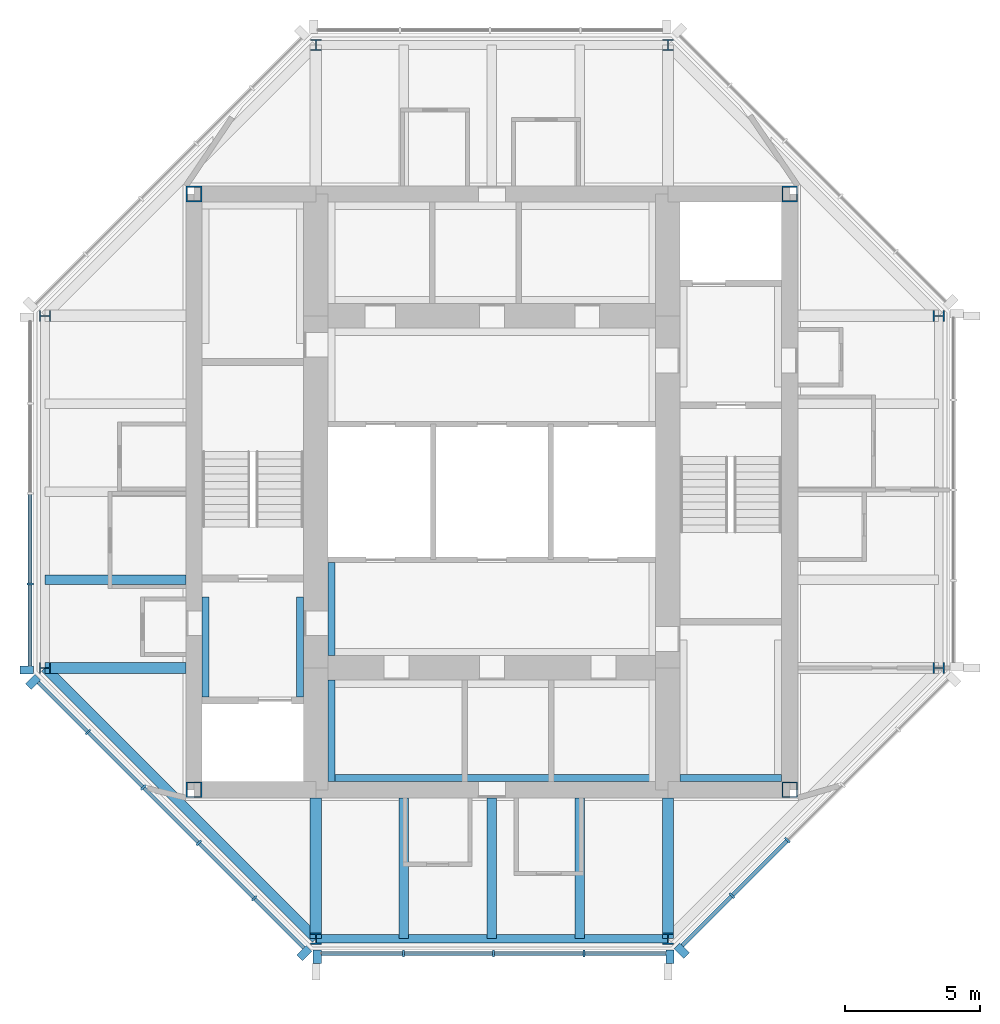
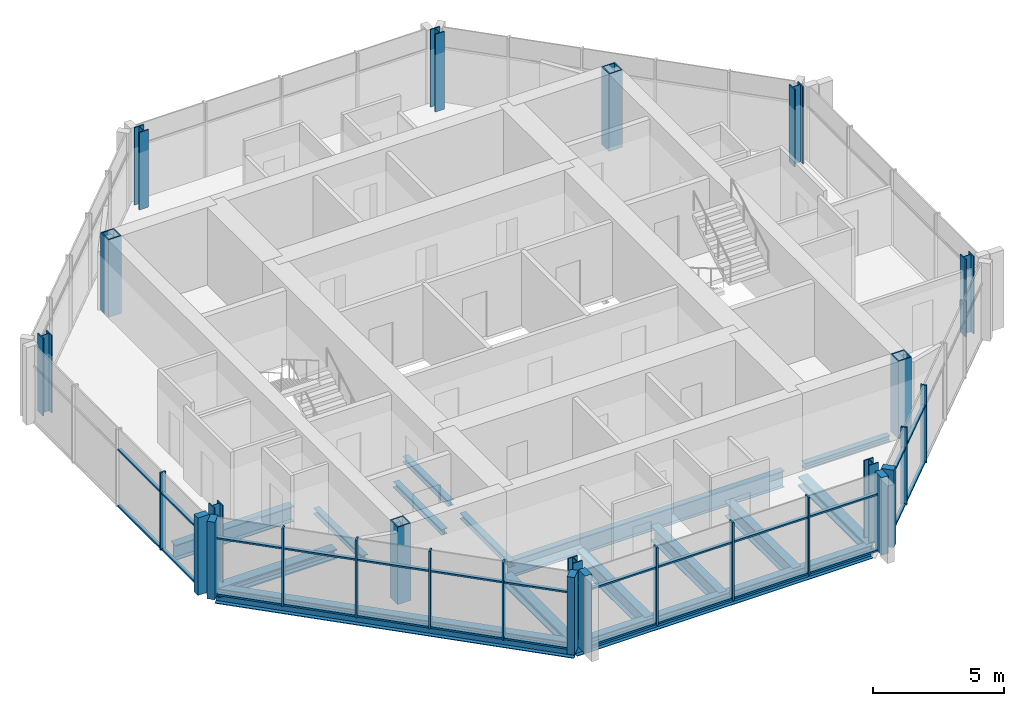
# One storey, part 1 of 8: 42 members, 15 beams, 12 columns, 4 elements without a shape of their own.
"""IFC4 building model written with IfcOpenShell, lengths in metres."""

from ifc_helpers import new_model, si_unit, direction, frame, origin, origin_2d, place, context, subcontext, project, spatial, rectangle, hollow_rectangle, i_section, extrude, material, material_profile, profile_set, type_object, element, aggregate, save


model = new_model("IFC4")

# Units and contexts
model_context = context("Model", 3, precision=1e-05, world=origin(), true_north=direction((0.0, 1.0)))
body_context = subcontext(model_context, "Body", "Model", "MODEL_VIEW")
ifc_project = project(units=[si_unit("LENGTHUNIT", "METRE"), si_unit("AREAUNIT", "SQUARE_METRE"), si_unit("VOLUMEUNIT", "CUBIC_METRE"), si_unit("PLANEANGLEUNIT", "RADIAN"), si_unit("MASSUNIT", "GRAM", prefix="KILO")], contexts=[model_context])

# Site, building, storey
site_placement = place(None, origin())
site = spatial("IfcSite", under=ifc_project, at=site_placement, CompositionType="ELEMENT")
building_placement = place(site_placement, origin())
building = spatial("IfcBuilding", under=site, at=building_placement, Name="Trevanion Tower", CompositionType="ELEMENT")
storey_placement = place(building_placement, frame((0.0, 0.0, 266.800048828125)))
storey = spatial("IfcBuildingStorey", under=building, at=storey_placement, Name="L65", CompositionType="ELEMENT", Elevation=266.800048828125)

# Columns
ifc_material_1 = material(Name="Steel ASTM A913 Grade 65", Category="steel")
ifc_material_profile_1 = material_profile(ifc_material_1, i_section(OverallWidth=0.406494140625, OverallDepth=0.41650390625, WebThickness=0.030029296875, FlangeThickness=0.048095703125, at=origin_2d()), Name="W14X257")
ifc_profile_set_1 = profile_set([ifc_material_profile_1], Name="Steel ASTM A913 Grade 65")
column_type_1 = type_object("IfcColumnType", Name="C6 W14X257", PredefinedType="COLUMN", material=ifc_profile_set_1)
for number, where, z_axis, x_axis, name in (
    (1, (-16.5, -6.5, 0.0), (0.0, 0.0, 1.0), (0.0, 1.0, 0.0), "C6 7/G L65"),
    (2, (-6.5, -16.5, 0.0), (0.0, 0.0, 1.0), (1.0, 0.0, 0.0), "C6 9/E L65"),
    (3, (6.5, -16.5, 0.0), (0.0, 0.0, 1.0), (1.0, 0.0, 0.0), "C6 11/E L65"),
    (4, (16.5, -6.5, 0.0), (0.0, 0.0, 1.0), (0.0, 1.0, 0.0), "C6 13/G L65"),
    (5, (16.5, 6.5, 0.0), (0.0, 0.0, 1.0), (0.0, 1.0, 0.0), "C6 13/J L65"),
    (6, (6.5, 16.5, 0.0), (0.0, 0.0, 1.0), (1.0, 0.0, 0.0), "C6 11/L L65"),
    (7, (-6.5, 16.5, 0.0), (0.0, 0.0, 1.0), (1.0, 0.0, 0.0), "C6 9/L L65"),
    (8, (-16.5, 6.5, 0.0), (0.0, 0.0, 1.0), (0.0, 1.0, 0.0), "C6 7/J L65"),
):
    element("IfcColumn", number, at=place(storey_placement, frame(where, z_axis=z_axis, x_axis=x_axis)), inside=storey, type_object=column_type_1, Name=name, PredefinedType="COLUMN", context=body_context, shape_type="SweptSolid", body=[
        extrude(i_section(OverallWidth=0.406494140625, OverallDepth=0.41650390625, WebThickness=0.030029296875, FlangeThickness=0.048095703125, at=origin_2d()), origin(), (0.0, 0.0, 1.0), 3.599853515625),
    ])
ifc_material_2 = material(Name="Steel ASTM A572 Grade 50", Category="steel")
ifc_material_profile_2 = material_profile(ifc_material_2, hollow_rectangle(XDim=0.584228515625, YDim=0.584228515625, WallThickness=0.05078125, at=origin_2d()), Name="BOX23X23X2")
ifc_profile_set_2 = profile_set([ifc_material_profile_2], Name="Steel ASTM A572 Grade 50")
column_type_2 = type_object("IfcColumnType", Name="CB1 BOX23X23X2", PredefinedType="COLUMN", material=ifc_profile_set_2)
for number, where, z_axis, x_axis, name in (
    (9, (11.0, 11.0, 0.0), (0.0, 0.0, 1.0), (1.0, 0.0, 0.0), "CB1 NE L65"),
    (10, (-11.0, 11.0, 0.0), (0.0, 0.0, 1.0), (1.0, 0.0, 0.0), "CB1 NW L65"),
    (11, (-11.0, -11.0, 0.0), (0.0, 0.0, 1.0), (1.0, 0.0, 0.0), "CB1 SW L65"),
    (12, (11.0, -11.0, 0.0), (0.0, 0.0, 1.0), (1.0, 0.0, 0.0), "CB1 SE L65"),
):
    element("IfcColumn", number, at=place(storey_placement, frame(where, z_axis=z_axis, x_axis=x_axis)), inside=storey, type_object=column_type_2, Name=name, PredefinedType="COLUMN", context=body_context, shape_type="SweptSolid", body=[
        extrude(hollow_rectangle(XDim=0.584228515625, YDim=0.584228515625, WallThickness=0.05078125, at=origin_2d()), origin(), (0.0, 0.0, 1.0), 3.599853515625),
    ])

# Beams
ifc_material_3 = material(Name="Steel ASTM A992 Grade 50", Category="steel")
ifc_material_profile_3 = material_profile(ifc_material_3, i_section(OverallWidth=0.355712890625, OverallDepth=0.700927734375, WebThickness=0.016845703125, FlangeThickness=0.02734375, at=origin_2d()), Name="W27X161")
ifc_profile_set_3 = profile_set([ifc_material_profile_3], Name="Steel ASTM A992 Grade 50")
beam_type_1 = type_object("IfcBeamType", Name="B15 W27X161", PredefinedType="BEAM", material=ifc_profile_set_3)
for number, where, z_axis, x_axis, name in (
    (13, (-11.300048828125, -3.25, -0.54052734375), (-1.0, 0.0, 0.0), (0.0, -1.0, 0.0), "B15 L65"),
    (14, (-3.25, -11.300048828125, -0.54052734375), (0.0, -1.0, 0.0), (1.0, 0.0, 0.0), "B15 L65"),
    (15, (0.0, -11.300048828125, -0.54052734375), (0.0, -1.0, 0.0), (1.0, 0.0, 0.0), "B15 L65"),
    (16, (3.25, -11.300048828125, -0.54052734375), (0.0, -1.0, 0.0), (1.0, 0.0, 0.0), "B15 L65"),
):
    element("IfcBeam", number, at=place(storey_placement, frame(where, z_axis=z_axis, x_axis=x_axis)), inside=storey, type_object=beam_type_1, Name=name, PredefinedType="BEAM", context=body_context, shape_type="SweptSolid", body=[
        extrude(i_section(OverallWidth=0.355712890625, OverallDepth=0.700927734375, WebThickness=0.016845703125, FlangeThickness=0.02734375, at=origin_2d()), origin(), (0.0, 0.0, 1.0), 5.199951171875),
    ])

# Curtain wall, member
ifc_material_4 = material(Name="Aluminium and glass", Category="aluminium")
curtain_wall_type = type_object("IfcCurtainWallType", Name="CW4 curtain wall", PredefinedType="USERDEFINED", material=ifc_material_4)
curtain_wall_1_placement = place(storey_placement, origin())
curtain_wall_1 = element("IfcCurtainWall", 17, at=curtain_wall_1_placement, inside=storey, type_object=curtain_wall_type, Name="CW4 L65 4", ObjectType="UNITISED CURTAIN WALL", PredefinedType="USERDEFINED")
ifc_material_5 = material(Name="Aluminium extrusion, anodised bronze", Category="aluminium")
ifc_material_profile_4 = material_profile(ifc_material_5, rectangle(XDim=0.074951171875, YDim=0.25, at=origin_2d()), Name="CW4 mullion")
ifc_profile_set_4 = profile_set([ifc_material_profile_4], Name="Aluminium extrusion, anodised bronze")
member_type_1 = type_object("IfcMemberType", Name="CW4 mullion", PredefinedType="MULLION", material=ifc_profile_set_4)
member_1_placement = place(storey_placement, frame((-17.050048828125, -3.396484375, -0.18994140625), z_axis=(0.0, 0.0, 1.0), x_axis=(0.0, -1.0, 0.0)))
member_1 = element("IfcMember", 18, at=member_1_placement, type_object=member_type_1, Name="CW4 mullion 4", PredefinedType="MULLION", context=body_context, shape_type="SweptSolid", body=[
    extrude(rectangle(XDim=0.074951171875, YDim=0.25, at=origin_2d()), origin(), (0.0, 0.0, 1.0), 3.599853515625),
])

# Curtain wall, members
curtain_wall_2_placement = place(storey_placement, origin())
curtain_wall_2 = element("IfcCurtainWall", 19, at=curtain_wall_2_placement, inside=storey, type_object=curtain_wall_type, Name="CW4 L65 5", ObjectType="UNITISED CURTAIN WALL", PredefinedType="USERDEFINED")
member_2_placement = place(storey_placement, frame((-14.912109375, -8.86572265625, -0.18994140625), z_axis=(0.0, 0.0, 1.0), x_axis=(0.707106781187, -0.707106781187, 0.0)))
member_2 = element("IfcMember", 20, at=member_2_placement, type_object=member_type_1, Name="CW4 mullion 2", PredefinedType="MULLION", context=body_context, shape_type="SweptSolid", body=[
    extrude(rectangle(XDim=0.074951171875, YDim=0.25, at=origin_2d()), origin(), (0.0, 0.0, 1.0), 3.599853515625),
])
member_3_placement = place(storey_placement, frame((-12.865966796875, -10.911865234375, -0.18994140625), z_axis=(0.0, 0.0, 1.0), x_axis=(0.707106781187, -0.707106781187, 0.0)))
member_3 = element("IfcMember", 21, at=member_3_placement, type_object=member_type_1, Name="CW4 mullion 3", PredefinedType="MULLION", context=body_context, shape_type="SweptSolid", body=[
    extrude(rectangle(XDim=0.074951171875, YDim=0.25, at=origin_2d()), origin(), (0.0, 0.0, 1.0), 3.599853515625),
])
member_4_placement = place(storey_placement, frame((-10.81982421875, -12.9580078125, -0.18994140625), z_axis=(0.0, 0.0, 1.0), x_axis=(0.707106781187, -0.707106781187, 0.0)))
member_4 = element("IfcMember", 22, at=member_4_placement, type_object=member_type_1, Name="CW4 mullion 4", PredefinedType="MULLION", context=body_context, shape_type="SweptSolid", body=[
    extrude(rectangle(XDim=0.074951171875, YDim=0.25, at=origin_2d()), origin(), (0.0, 0.0, 1.0), 3.599853515625),
])
member_5_placement = place(storey_placement, frame((-8.77392578125, -15.00390625, -0.18994140625), z_axis=(0.0, 0.0, 1.0), x_axis=(0.707106781187, -0.707106781187, 0.0)))
member_5 = element("IfcMember", 23, at=member_5_placement, type_object=member_type_1, Name="CW4 mullion 5", PredefinedType="MULLION", context=body_context, shape_type="SweptSolid", body=[
    extrude(rectangle(XDim=0.074951171875, YDim=0.25, at=origin_2d()), origin(), (0.0, 0.0, 1.0), 3.599853515625),
])

curtain_wall_3_placement = place(storey_placement, origin())
curtain_wall_3 = element("IfcCurtainWall", 24, at=curtain_wall_3_placement, inside=storey, type_object=curtain_wall_type, Name="CW4 L65 6", ObjectType="UNITISED CURTAIN WALL", PredefinedType="USERDEFINED")
member_6_placement = place(storey_placement, frame((-3.266357421875, -17.050048828125, -0.18994140625), z_axis=(0.0, 0.0, 1.0), x_axis=(1.0, 0.0, 0.0)))
member_6 = element("IfcMember", 25, at=member_6_placement, type_object=member_type_1, Name="CW4 mullion 2", PredefinedType="MULLION", context=body_context, shape_type="SweptSolid", body=[
    extrude(rectangle(XDim=0.074951171875, YDim=0.25, at=origin_2d()), origin(), (0.0, 0.0, 1.0), 3.599853515625),
])
member_7_placement = place(storey_placement, frame((0.06494140625, -17.050048828125, -0.18994140625), z_axis=(0.0, 0.0, 1.0), x_axis=(1.0, 0.0, 0.0)))
member_7 = element("IfcMember", 26, at=member_7_placement, type_object=member_type_1, Name="CW4 mullion 3", PredefinedType="MULLION", context=body_context, shape_type="SweptSolid", body=[
    extrude(rectangle(XDim=0.074951171875, YDim=0.25, at=origin_2d()), origin(), (0.0, 0.0, 1.0), 3.599853515625),
])
member_8_placement = place(storey_placement, frame((3.396484375, -17.050048828125, -0.18994140625), z_axis=(0.0, 0.0, 1.0), x_axis=(1.0, 0.0, 0.0)))
member_8 = element("IfcMember", 27, at=member_8_placement, type_object=member_type_1, Name="CW4 mullion 4", PredefinedType="MULLION", context=body_context, shape_type="SweptSolid", body=[
    extrude(rectangle(XDim=0.074951171875, YDim=0.25, at=origin_2d()), origin(), (0.0, 0.0, 1.0), 3.599853515625),
])

curtain_wall_4_placement = place(storey_placement, origin())
curtain_wall_4 = element("IfcCurtainWall", 28, at=curtain_wall_4_placement, inside=storey, type_object=curtain_wall_type, Name="CW4 L65 7", ObjectType="UNITISED CURTAIN WALL", PredefinedType="USERDEFINED")
member_9_placement = place(storey_placement, frame((8.86572265625, -14.912109375, -0.18994140625), z_axis=(0.0, 0.0, 1.0), x_axis=(0.707106781187, 0.707106781187, 0.0)))
member_9 = element("IfcMember", 29, at=member_9_placement, type_object=member_type_1, Name="CW4 mullion 2", PredefinedType="MULLION", context=body_context, shape_type="SweptSolid", body=[
    extrude(rectangle(XDim=0.074951171875, YDim=0.25, at=origin_2d()), origin(), (0.0, 0.0, 1.0), 3.599853515625),
])
member_10_placement = place(storey_placement, frame((10.911865234375, -12.865966796875, -0.18994140625), z_axis=(0.0, 0.0, 1.0), x_axis=(0.707106781187, 0.707106781187, 0.0)))
member_10 = element("IfcMember", 30, at=member_10_placement, type_object=member_type_1, Name="CW4 mullion 3", PredefinedType="MULLION", context=body_context, shape_type="SweptSolid", body=[
    extrude(rectangle(XDim=0.074951171875, YDim=0.25, at=origin_2d()), origin(), (0.0, 0.0, 1.0), 3.599853515625),
])

# Member
ifc_material_6 = material(Name="Aluminium extrusion, anodised bronze", Category="aluminium")
ifc_material_profile_5 = material_profile(ifc_material_6, rectangle(XDim=0.300048828125, YDim=0.5, at=origin_2d()), Name="CW4 pier mullion")
ifc_profile_set_5 = profile_set([ifc_material_profile_5], Name="Aluminium extrusion, anodised bronze")
member_type_2 = type_object("IfcMemberType", Name="CW4 pier mullion", PredefinedType="MULLION", material=ifc_profile_set_5)
member_11_placement = place(storey_placement, frame((-17.175048828125, -6.577880859375, -0.18994140625), z_axis=(0.0, 0.0, 1.0), x_axis=(0.0, -1.0, 0.0)))
member_11 = element("IfcMember", 31, at=member_11_placement, type_object=member_type_2, Name="CW4 pier mullion 5", PredefinedType="MULLION", context=body_context, shape_type="SweptSolid", body=[
    extrude(rectangle(XDim=0.300048828125, YDim=0.5, at=origin_2d()), origin(), (0.0, 0.0, 1.0), 3.599853515625),
])

member_12_placement = place(storey_placement, frame((-16.9404296875, -7.01416015625, -0.18994140625), z_axis=(0.0, 0.0, 1.0), x_axis=(0.707106781187, -0.707106781187, 0.0)))
member_12 = element("IfcMember", 32, at=member_12_placement, type_object=member_type_2, Name="CW4 pier mullion 1", PredefinedType="MULLION", context=body_context, shape_type="SweptSolid", body=[
    extrude(rectangle(XDim=0.300048828125, YDim=0.5, at=origin_2d()), origin(), (0.0, 0.0, 1.0), 3.599853515625),
])

member_13_placement = place(storey_placement, frame((-6.92236328125, -17.0322265625, -0.18994140625), z_axis=(0.0, 0.0, 1.0), x_axis=(0.707106781187, -0.707106781187, 0.0)))
member_13 = element("IfcMember", 33, at=member_13_placement, type_object=member_type_2, Name="CW4 pier mullion 6", PredefinedType="MULLION", context=body_context, shape_type="SweptSolid", body=[
    extrude(rectangle(XDim=0.300048828125, YDim=0.5, at=origin_2d()), origin(), (0.0, 0.0, 1.0), 3.599853515625),
])

member_14_placement = place(storey_placement, frame((-6.44775390625, -17.175048828125, -0.18994140625), z_axis=(0.0, 0.0, 1.0), x_axis=(1.0, 0.0, 0.0)))
member_14 = element("IfcMember", 34, at=member_14_placement, type_object=member_type_2, Name="CW4 pier mullion 1", PredefinedType="MULLION", context=body_context, shape_type="SweptSolid", body=[
    extrude(rectangle(XDim=0.300048828125, YDim=0.5, at=origin_2d()), origin(), (0.0, 0.0, 1.0), 3.599853515625),
])

member_15_placement = place(storey_placement, frame((6.577880859375, -17.175048828125, -0.18994140625), z_axis=(0.0, 0.0, 1.0), x_axis=(1.0, 0.0, 0.0)))
member_15 = element("IfcMember", 35, at=member_15_placement, type_object=member_type_2, Name="CW4 pier mullion 5", PredefinedType="MULLION", context=body_context, shape_type="SweptSolid", body=[
    extrude(rectangle(XDim=0.300048828125, YDim=0.5, at=origin_2d()), origin(), (0.0, 0.0, 1.0), 3.599853515625),
])

member_16_placement = place(storey_placement, frame((7.01416015625, -16.9404296875, -0.18994140625), z_axis=(0.0, 0.0, 1.0), x_axis=(0.707106781187, 0.707106781187, 0.0)))
member_16 = element("IfcMember", 36, at=member_16_placement, type_object=member_type_2, Name="CW4 pier mullion 1", PredefinedType="MULLION", context=body_context, shape_type="SweptSolid", body=[
    extrude(rectangle(XDim=0.300048828125, YDim=0.5, at=origin_2d()), origin(), (0.0, 0.0, 1.0), 3.599853515625),
])

ifc_material_7 = material(Name="Aluminium extrusion, anodised bronze", Category="aluminium")
ifc_material_profile_6 = material_profile(ifc_material_7, rectangle(XDim=0.14990234375, YDim=0.074951171875, at=origin_2d()), Name="CW4 transom")
ifc_profile_set_6 = profile_set([ifc_material_profile_6], Name="Aluminium extrusion, anodised bronze")
member_type_3 = type_object("IfcMemberType", Name="CW4 transom", PredefinedType="USERDEFINED", material=ifc_profile_set_6)
member_17_placement = place(storey_placement, frame((-17.050048828125, -0.1025390625, -0.152587890625), z_axis=(0.0, -1.0, 0.0), x_axis=(1.0, 0.0, 0.0)))
member_17 = element("IfcMember", 37, at=member_17_placement, type_object=member_type_3, Name="CW4 transom 3.1", ObjectType="TRANSOM", PredefinedType="USERDEFINED", context=body_context, shape_type="SweptSolid", body=[
    extrude(rectangle(XDim=0.14990234375, YDim=0.074951171875, at=origin_2d()), origin(), (0.0, 0.0, 1.0), 3.25634765625),
])

member_18_placement = place(storey_placement, frame((-17.050048828125, -0.1025390625, 2.4599609375), z_axis=(0.0, -1.0, 0.0), x_axis=(1.0, 0.0, 0.0)))
member_18 = element("IfcMember", 38, at=member_18_placement, type_object=member_type_3, Name="CW4 transom 3.2", ObjectType="TRANSOM", PredefinedType="USERDEFINED", context=body_context, shape_type="SweptSolid", body=[
    extrude(rectangle(XDim=0.14990234375, YDim=0.074951171875, at=origin_2d()), origin(), (0.0, 0.0, 1.0), 3.25634765625),
])

member_19_placement = place(storey_placement, frame((-17.050048828125, -3.433837890625, -0.152587890625), z_axis=(0.0, -1.0, 0.0), x_axis=(1.0, 0.0, 0.0)))
member_19 = element("IfcMember", 39, at=member_19_placement, type_object=member_type_3, Name="CW4 transom 4.1", ObjectType="TRANSOM", PredefinedType="USERDEFINED", context=body_context, shape_type="SweptSolid", body=[
    extrude(rectangle(XDim=0.14990234375, YDim=0.074951171875, at=origin_2d()), origin(), (0.0, 0.0, 1.0), 2.993896484375),
])

member_20_placement = place(storey_placement, frame((-17.050048828125, -3.433837890625, 2.4599609375), z_axis=(0.0, -1.0, 0.0), x_axis=(1.0, 0.0, 0.0)))
member_20 = element("IfcMember", 40, at=member_20_placement, type_object=member_type_3, Name="CW4 transom 4.2", ObjectType="TRANSOM", PredefinedType="USERDEFINED", context=body_context, shape_type="SweptSolid", body=[
    extrude(rectangle(XDim=0.14990234375, YDim=0.074951171875, at=origin_2d()), origin(), (0.0, 0.0, 1.0), 2.993896484375),
])

aggregate(curtain_wall_1, [member_1, member_11, member_17, member_18, member_19, member_20])

member_21_placement = place(storey_placement, frame((-16.745849609375, -7.031982421875, -0.152587890625), z_axis=(0.707106781187, -0.707106781187, 0.0), x_axis=(0.707106781187, 0.707106781187, 0.0)))
member_21 = element("IfcMember", 41, at=member_21_placement, type_object=member_type_3, Name="CW4 transom 1.1", ObjectType="TRANSOM", PredefinedType="USERDEFINED", context=body_context, shape_type="SweptSolid", body=[
    extrude(rectangle(XDim=0.14990234375, YDim=0.074951171875, at=origin_2d()), origin(), (0.0, 0.0, 1.0), 2.555908203125),
])

member_22_placement = place(storey_placement, frame((-16.745849609375, -7.031982421875, 2.4599609375), z_axis=(0.707106781187, -0.707106781187, 0.0), x_axis=(0.707106781187, 0.707106781187, 0.0)))
member_22 = element("IfcMember", 42, at=member_22_placement, type_object=member_type_3, Name="CW4 transom 1.2", ObjectType="TRANSOM", PredefinedType="USERDEFINED", context=body_context, shape_type="SweptSolid", body=[
    extrude(rectangle(XDim=0.14990234375, YDim=0.074951171875, at=origin_2d()), origin(), (0.0, 0.0, 1.0), 2.555908203125),
])

member_23_placement = place(storey_placement, frame((-14.885498046875, -8.892333984375, -0.152587890625), z_axis=(0.707106781187, -0.707106781187, 0.0), x_axis=(0.707106781187, 0.707106781187, 0.0)))
member_23 = element("IfcMember", 43, at=member_23_placement, type_object=member_type_3, Name="CW4 transom 2.1", ObjectType="TRANSOM", PredefinedType="USERDEFINED", context=body_context, shape_type="SweptSolid", body=[
    extrude(rectangle(XDim=0.14990234375, YDim=0.074951171875, at=origin_2d()), origin(), (0.0, 0.0, 1.0), 2.818359375),
])

member_24_placement = place(storey_placement, frame((-14.885498046875, -8.892333984375, 2.4599609375), z_axis=(0.707106781187, -0.707106781187, 0.0), x_axis=(0.707106781187, 0.707106781187, 0.0)))
member_24 = element("IfcMember", 44, at=member_24_placement, type_object=member_type_3, Name="CW4 transom 2.2", ObjectType="TRANSOM", PredefinedType="USERDEFINED", context=body_context, shape_type="SweptSolid", body=[
    extrude(rectangle(XDim=0.14990234375, YDim=0.074951171875, at=origin_2d()), origin(), (0.0, 0.0, 1.0), 2.818359375),
])

member_25_placement = place(storey_placement, frame((-12.839599609375, -10.9384765625, -0.152587890625), z_axis=(0.707150088905, -0.707063470815, 0.0), x_axis=(0.707063470815, 0.707150088905, 0.0)))
member_25 = element("IfcMember", 45, at=member_25_placement, type_object=member_type_3, Name="CW4 transom 3.1", ObjectType="TRANSOM", PredefinedType="USERDEFINED", context=body_context, shape_type="SweptSolid", body=[
    extrude(rectangle(XDim=0.14990234375, YDim=0.074951171875, at=origin_2d()), origin(), (0.0, 0.0, 1.0), 2.818603515625),
])

member_26_placement = place(storey_placement, frame((-12.839599609375, -10.9384765625, 2.4599609375), z_axis=(0.707150088905, -0.707063470815, 0.0), x_axis=(0.707063470815, 0.707150088905, 0.0)))
member_26 = element("IfcMember", 46, at=member_26_placement, type_object=member_type_3, Name="CW4 transom 3.2", ObjectType="TRANSOM", PredefinedType="USERDEFINED", context=body_context, shape_type="SweptSolid", body=[
    extrude(rectangle(XDim=0.14990234375, YDim=0.074951171875, at=origin_2d()), origin(), (0.0, 0.0, 1.0), 2.818603515625),
])

member_27_placement = place(storey_placement, frame((-10.79345703125, -12.984375, -0.152587890625), z_axis=(0.707150088905, -0.707063470815, 0.0), x_axis=(0.707063470815, 0.707150088905, 0.0)))
member_27 = element("IfcMember", 47, at=member_27_placement, type_object=member_type_3, Name="CW4 transom 4.1", ObjectType="TRANSOM", PredefinedType="USERDEFINED", context=body_context, shape_type="SweptSolid", body=[
    extrude(rectangle(XDim=0.14990234375, YDim=0.074951171875, at=origin_2d()), origin(), (0.0, 0.0, 1.0), 2.818603515625),
])

member_28_placement = place(storey_placement, frame((-10.79345703125, -12.984375, 2.4599609375), z_axis=(0.707150088905, -0.707063470815, 0.0), x_axis=(0.707063470815, 0.707150088905, 0.0)))
member_28 = element("IfcMember", 48, at=member_28_placement, type_object=member_type_3, Name="CW4 transom 4.2", ObjectType="TRANSOM", PredefinedType="USERDEFINED", context=body_context, shape_type="SweptSolid", body=[
    extrude(rectangle(XDim=0.14990234375, YDim=0.074951171875, at=origin_2d()), origin(), (0.0, 0.0, 1.0), 2.818603515625),
])

member_29_placement = place(storey_placement, frame((-8.747314453125, -15.030517578125, -0.152587890625), z_axis=(0.707106781187, -0.707106781187, 0.0), x_axis=(0.707106781187, 0.707106781187, 0.0)))
member_29 = element("IfcMember", 49, at=member_29_placement, type_object=member_type_3, Name="CW4 transom 5.1", ObjectType="TRANSOM", PredefinedType="USERDEFINED", context=body_context, shape_type="SweptSolid", body=[
    extrude(rectangle(XDim=0.14990234375, YDim=0.074951171875, at=origin_2d()), origin(), (0.0, 0.0, 1.0), 2.555908203125),
])

member_30_placement = place(storey_placement, frame((-8.747314453125, -15.030517578125, 2.4599609375), z_axis=(0.707106781187, -0.707106781187, 0.0), x_axis=(0.707106781187, 0.707106781187, 0.0)))
member_30 = element("IfcMember", 50, at=member_30_placement, type_object=member_type_3, Name="CW4 transom 5.2", ObjectType="TRANSOM", PredefinedType="USERDEFINED", context=body_context, shape_type="SweptSolid", body=[
    extrude(rectangle(XDim=0.14990234375, YDim=0.074951171875, at=origin_2d()), origin(), (0.0, 0.0, 1.0), 2.555908203125),
])

aggregate(curtain_wall_2, [member_12, member_2, member_3, member_4, member_5, member_13, member_21, member_22, member_23, member_24, member_25, member_26, member_27, member_28, member_29, member_30])

member_31_placement = place(storey_placement, frame((-6.2978515625, -17.050048828125, -0.152587890625), z_axis=(1.0, 0.0, 0.0), x_axis=(0.0, 1.0, 0.0)))
member_31 = element("IfcMember", 51, at=member_31_placement, type_object=member_type_3, Name="CW4 transom 1.1", ObjectType="TRANSOM", PredefinedType="USERDEFINED", context=body_context, shape_type="SweptSolid", body=[
    extrude(rectangle(XDim=0.14990234375, YDim=0.074951171875, at=origin_2d()), origin(), (0.0, 0.0, 1.0), 2.993896484375),
])

member_32_placement = place(storey_placement, frame((-6.2978515625, -17.050048828125, 2.4599609375), z_axis=(1.0, 0.0, 0.0), x_axis=(0.0, 1.0, 0.0)))
member_32 = element("IfcMember", 52, at=member_32_placement, type_object=member_type_3, Name="CW4 transom 1.2", ObjectType="TRANSOM", PredefinedType="USERDEFINED", context=body_context, shape_type="SweptSolid", body=[
    extrude(rectangle(XDim=0.14990234375, YDim=0.074951171875, at=origin_2d()), origin(), (0.0, 0.0, 1.0), 2.993896484375),
])

member_33_placement = place(storey_placement, frame((-3.22900390625, -17.050048828125, -0.152587890625), z_axis=(1.0, 0.0, 0.0), x_axis=(0.0, 1.0, 0.0)))
member_33 = element("IfcMember", 53, at=member_33_placement, type_object=member_type_3, Name="CW4 transom 2.1", ObjectType="TRANSOM", PredefinedType="USERDEFINED", context=body_context, shape_type="SweptSolid", body=[
    extrude(rectangle(XDim=0.14990234375, YDim=0.074951171875, at=origin_2d()), origin(), (0.0, 0.0, 1.0), 3.256591796875),
])

member_34_placement = place(storey_placement, frame((-3.22900390625, -17.050048828125, 2.4599609375), z_axis=(1.0, 0.0, 0.0), x_axis=(0.0, 1.0, 0.0)))
member_34 = element("IfcMember", 54, at=member_34_placement, type_object=member_type_3, Name="CW4 transom 2.2", ObjectType="TRANSOM", PredefinedType="USERDEFINED", context=body_context, shape_type="SweptSolid", body=[
    extrude(rectangle(XDim=0.14990234375, YDim=0.074951171875, at=origin_2d()), origin(), (0.0, 0.0, 1.0), 3.256591796875),
])

member_35_placement = place(storey_placement, frame((0.1025390625, -17.050048828125, -0.152587890625), z_axis=(1.0, 0.0, 0.0), x_axis=(0.0, 1.0, 0.0)))
member_35 = element("IfcMember", 55, at=member_35_placement, type_object=member_type_3, Name="CW4 transom 3.1", ObjectType="TRANSOM", PredefinedType="USERDEFINED", context=body_context, shape_type="SweptSolid", body=[
    extrude(rectangle(XDim=0.14990234375, YDim=0.074951171875, at=origin_2d()), origin(), (0.0, 0.0, 1.0), 3.25634765625),
])

member_36_placement = place(storey_placement, frame((0.1025390625, -17.050048828125, 2.4599609375), z_axis=(1.0, 0.0, 0.0), x_axis=(0.0, 1.0, 0.0)))
member_36 = element("IfcMember", 56, at=member_36_placement, type_object=member_type_3, Name="CW4 transom 3.2", ObjectType="TRANSOM", PredefinedType="USERDEFINED", context=body_context, shape_type="SweptSolid", body=[
    extrude(rectangle(XDim=0.14990234375, YDim=0.074951171875, at=origin_2d()), origin(), (0.0, 0.0, 1.0), 3.25634765625),
])

member_37_placement = place(storey_placement, frame((3.433837890625, -17.050048828125, -0.152587890625), z_axis=(1.0, 0.0, 0.0), x_axis=(0.0, 1.0, 0.0)))
member_37 = element("IfcMember", 57, at=member_37_placement, type_object=member_type_3, Name="CW4 transom 4.1", ObjectType="TRANSOM", PredefinedType="USERDEFINED", context=body_context, shape_type="SweptSolid", body=[
    extrude(rectangle(XDim=0.14990234375, YDim=0.074951171875, at=origin_2d()), origin(), (0.0, 0.0, 1.0), 2.993896484375),
])

member_38_placement = place(storey_placement, frame((3.433837890625, -17.050048828125, 2.4599609375), z_axis=(1.0, 0.0, 0.0), x_axis=(0.0, 1.0, 0.0)))
member_38 = element("IfcMember", 58, at=member_38_placement, type_object=member_type_3, Name="CW4 transom 4.2", ObjectType="TRANSOM", PredefinedType="USERDEFINED", context=body_context, shape_type="SweptSolid", body=[
    extrude(rectangle(XDim=0.14990234375, YDim=0.074951171875, at=origin_2d()), origin(), (0.0, 0.0, 1.0), 2.993896484375),
])

aggregate(curtain_wall_3, [member_14, member_6, member_7, member_8, member_15, member_31, member_32, member_33, member_34, member_35, member_36, member_37, member_38])

member_39_placement = place(storey_placement, frame((7.031982421875, -16.745849609375, -0.152587890625), z_axis=(0.707106781187, 0.707106781187, 0.0), x_axis=(-0.707106781187, 0.707106781187, 0.0)))
member_39 = element("IfcMember", 59, at=member_39_placement, type_object=member_type_3, Name="CW4 transom 1.1", ObjectType="TRANSOM", PredefinedType="USERDEFINED", context=body_context, shape_type="SweptSolid", body=[
    extrude(rectangle(XDim=0.14990234375, YDim=0.074951171875, at=origin_2d()), origin(), (0.0, 0.0, 1.0), 2.555908203125),
])

member_40_placement = place(storey_placement, frame((7.031982421875, -16.745849609375, 2.4599609375), z_axis=(0.707106781187, 0.707106781187, 0.0), x_axis=(-0.707106781187, 0.707106781187, 0.0)))
member_40 = element("IfcMember", 60, at=member_40_placement, type_object=member_type_3, Name="CW4 transom 1.2", ObjectType="TRANSOM", PredefinedType="USERDEFINED", context=body_context, shape_type="SweptSolid", body=[
    extrude(rectangle(XDim=0.14990234375, YDim=0.074951171875, at=origin_2d()), origin(), (0.0, 0.0, 1.0), 2.555908203125),
])

member_41_placement = place(storey_placement, frame((8.892333984375, -14.885498046875, -0.152587890625), z_axis=(0.707106781187, 0.707106781187, 0.0), x_axis=(-0.707106781187, 0.707106781187, 0.0)))
member_41 = element("IfcMember", 61, at=member_41_placement, type_object=member_type_3, Name="CW4 transom 2.1", ObjectType="TRANSOM", PredefinedType="USERDEFINED", context=body_context, shape_type="SweptSolid", body=[
    extrude(rectangle(XDim=0.14990234375, YDim=0.074951171875, at=origin_2d()), origin(), (0.0, 0.0, 1.0), 2.818359375),
])

member_42_placement = place(storey_placement, frame((8.892333984375, -14.885498046875, 2.4599609375), z_axis=(0.707106781187, 0.707106781187, 0.0), x_axis=(-0.707106781187, 0.707106781187, 0.0)))
member_42 = element("IfcMember", 62, at=member_42_placement, type_object=member_type_3, Name="CW4 transom 2.2", ObjectType="TRANSOM", PredefinedType="USERDEFINED", context=body_context, shape_type="SweptSolid", body=[
    extrude(rectangle(XDim=0.14990234375, YDim=0.074951171875, at=origin_2d()), origin(), (0.0, 0.0, 1.0), 2.818359375),
])

aggregate(curtain_wall_4, [member_16, member_9, member_10, member_39, member_40, member_41, member_42])

# Beams
ifc_material_8 = material(Name="Steel ASTM A992 Grade 50", Category="steel")
ifc_material_profile_7 = material_profile(ifc_material_8, i_section(OverallWidth=0.41650390625, OverallDepth=0.444580078125, WebThickness=0.0390625, FlangeThickness=0.062744140625, at=origin_2d()), Name="W14X342")
ifc_profile_set_7 = profile_set([ifc_material_profile_7], Name="Steel ASTM A992 Grade 50")
beam_type_2 = type_object("IfcBeamType", Name="G8 W14X342", PredefinedType="BEAM", material=ifc_profile_set_7)
for number, where, z_axis, x_axis, name in (
    (63, (-11.300048828125, -6.5, -0.412353515625), (-1.0, 0.0, 0.0), (0.0, -1.0, 0.0), "G8 L65"),
    (64, (-6.5, -11.300048828125, -0.412353515625), (0.0, -1.0, 0.0), (1.0, 0.0, 0.0), "G8 L65"),
    (65, (6.5, -11.300048828125, -0.412353515625), (0.0, -1.0, 0.0), (1.0, 0.0, 0.0), "G8 L65"),
):
    element("IfcBeam", number, at=place(storey_placement, frame(where, z_axis=z_axis, x_axis=x_axis)), inside=storey, type_object=beam_type_2, Name=name, PredefinedType="BEAM", context=body_context, shape_type="SweptSolid", body=[
        extrude(i_section(OverallWidth=0.41650390625, OverallDepth=0.444580078125, WebThickness=0.0390625, FlangeThickness=0.062744140625, at=origin_2d()), origin(), (0.0, 0.0, 1.0), 5.199951171875),
    ])
ifc_material_9 = material(Name="Steel ASTM A992 Grade 50", Category="steel")
ifc_material_profile_8 = material_profile(ifc_material_9, i_section(OverallWidth=0.256591796875, OverallDepth=0.26416015625, WebThickness=0.011962890625, FlangeThickness=0.01953125, at=origin_2d()), Name="W10X68")
ifc_profile_set_8 = profile_set([ifc_material_profile_8], Name="Steel ASTM A992 Grade 50")
beam_type_3 = type_object("IfcBeamType", Name="LB1 W10X68", PredefinedType="BEAM", material=ifc_profile_set_8)
beam_1_placement = place(storey_placement, frame((-5.921630859375, -6.050048828125, -0.33203125), z_axis=(0.0, 1.0, 0.0), x_axis=(-1.0, 0.0, 0.0)))
element("IfcBeam", 66, at=beam_1_placement, inside=storey, type_object=beam_type_3, Name="LB1 L65", PredefinedType="BEAM", context=body_context, shape_type="SweptSolid", body=[
    extrude(i_section(OverallWidth=0.256591796875, OverallDepth=0.26416015625, WebThickness=0.011962890625, FlangeThickness=0.01953125, at=origin_2d()), origin(), (0.0, 0.0, 1.0), 3.449951171875),
])
for number, where, z_axis, x_axis, name in (
    (67, (-10.57177734375, -7.574951171875, -0.33203125), (0.0, 1.0, 0.0), (-1.0, 0.0, 0.0), "LB1 L65"),
    (68, (-7.078369140625, -7.574951171875, -0.33203125), (0.0, 1.0, 0.0), (-1.0, 0.0, 0.0), "LB1 L65"),
):
    element("IfcBeam", number, at=place(storey_placement, frame(where, z_axis=z_axis, x_axis=x_axis)), inside=storey, type_object=beam_type_3, Name=name, PredefinedType="BEAM", context=body_context, shape_type="SweptSolid", body=[
        extrude(i_section(OverallWidth=0.256591796875, OverallDepth=0.26416015625, WebThickness=0.011962890625, FlangeThickness=0.01953125, at=origin_2d()), origin(), (0.0, 0.0, 1.0), 3.699951171875),
    ])
for number, where, z_axis, x_axis, name in (
    (69, (6.949951171875, -10.57177734375, -0.33203125), (1.0, 0.0, 0.0), (0.0, 1.0, 0.0), "LB1 L65"),
    (70, (-5.921630859375, -10.699951171875, -0.33203125), (0.0, 1.0, 0.0), (-1.0, 0.0, 0.0), "LB1 L65"),
):
    element("IfcBeam", number, at=place(storey_placement, frame(where, z_axis=z_axis, x_axis=x_axis)), inside=storey, type_object=beam_type_3, Name=name, PredefinedType="BEAM", context=body_context, shape_type="SweptSolid", body=[
        extrude(i_section(OverallWidth=0.256591796875, OverallDepth=0.26416015625, WebThickness=0.011962890625, FlangeThickness=0.01953125, at=origin_2d()), origin(), (0.0, 0.0, 1.0), 3.75),
    ])
ifc_material_10 = material(Name="Steel ASTM A992 Grade 50", Category="steel")
ifc_material_profile_9 = material_profile(ifc_material_10, i_section(OverallWidth=0.2666015625, OverallDepth=0.76953125, WebThickness=0.015625, FlangeThickness=0.025390625, at=origin_2d()), Name="W30X132")
ifc_profile_set_9 = profile_set([ifc_material_profile_9], Name="Steel ASTM A992 Grade 50")
beam_type_4 = type_object("IfcBeamType", Name="LB3 W30X132", PredefinedType="BEAM", material=ifc_profile_set_9)
beam_2_placement = place(storey_placement, frame((-6.050048828125, -10.566650390625, -0.5849609375), z_axis=(1.0, 0.0, 0.0), x_axis=(0.0, 1.0, 0.0)))
element("IfcBeam", 71, at=beam_2_placement, inside=storey, type_object=beam_type_4, Name="LB3 L65", PredefinedType="BEAM", context=body_context, shape_type="SweptSolid", body=[
    extrude(i_section(OverallWidth=0.2666015625, OverallDepth=0.76953125, WebThickness=0.015625, FlangeThickness=0.025390625, at=origin_2d()), origin(), (0.0, 0.0, 1.0), 12.10009765625),
])
ifc_material_11 = material(Name="Steel ASTM A992 Grade 50", Category="steel")
ifc_material_profile_10 = material_profile(ifc_material_11, i_section(OverallWidth=0.32763671875, OverallDepth=0.622314453125, WebThickness=0.015380859375, FlangeThickness=0.0244140625, at=origin_2d()), Name="W24X131")
ifc_profile_set_10 = profile_set([ifc_material_profile_10], Name="Steel ASTM A992 Grade 50")
beam_type_5 = type_object("IfcBeamType", Name="SB12 W24X131", PredefinedType="SPANDREL", material=ifc_profile_set_10)
beam_3_placement = place(storey_placement, frame((-6.5, -16.5, -0.501220703125), z_axis=(1.0, 0.0, 0.0), x_axis=(0.0, 1.0, 0.0)))
element("IfcBeam", 72, at=beam_3_placement, inside=storey, type_object=beam_type_5, Name="SB12 L65", PredefinedType="SPANDREL", context=body_context, shape_type="SweptSolid", body=[
    extrude(i_section(OverallWidth=0.32763671875, OverallDepth=0.622314453125, WebThickness=0.015380859375, FlangeThickness=0.0244140625, at=origin_2d()), origin(), (0.0, 0.0, 1.0), 13.0),
])
ifc_material_12 = material(Name="Steel ASTM A992 Grade 50", Category="steel")
ifc_material_profile_11 = material_profile(ifc_material_12, i_section(OverallWidth=0.358154296875, OverallDepth=0.7060546875, WebThickness=0.018310546875, FlangeThickness=0.0302734375, at=origin_2d()), Name="W27X178")
ifc_profile_set_11 = profile_set([ifc_material_profile_11], Name="Steel ASTM A992 Grade 50")
beam_type_6 = type_object("IfcBeamType", Name="SB13 W27X178", PredefinedType="SPANDREL", material=ifc_profile_set_11)
beam_4_placement = place(storey_placement, frame((-16.5, -6.5, -0.543212890625), z_axis=(0.707106781187, -0.707106781187, 0.0), x_axis=(0.707106781187, 0.707106781187, 0.0)))
element("IfcBeam", 73, at=beam_4_placement, inside=storey, type_object=beam_type_6, Name="SB13 L65", PredefinedType="SPANDREL", context=body_context, shape_type="SweptSolid", body=[
    extrude(i_section(OverallWidth=0.358154296875, OverallDepth=0.7060546875, WebThickness=0.018310546875, FlangeThickness=0.0302734375, at=origin_2d()), origin(), (0.0, 0.0, 1.0), 14.14208984375),
])

save(model, "model.ifc")
